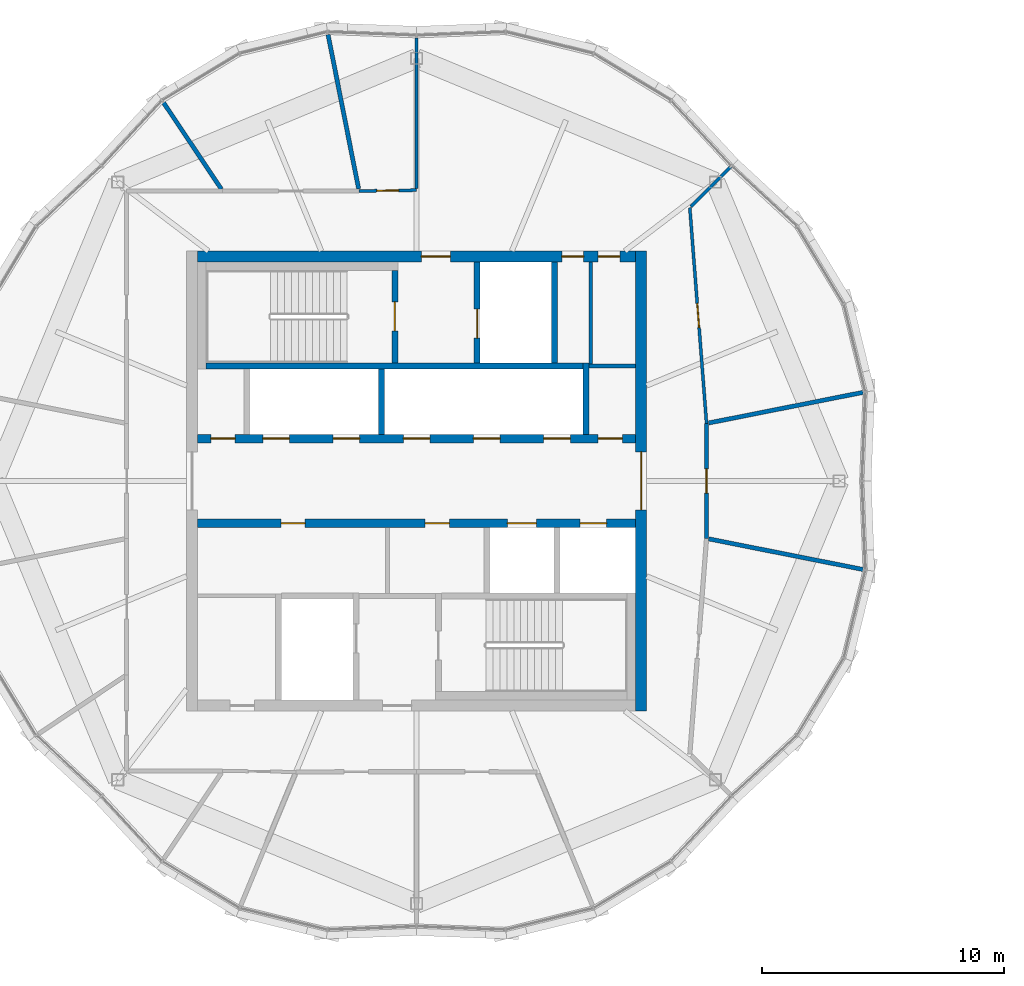
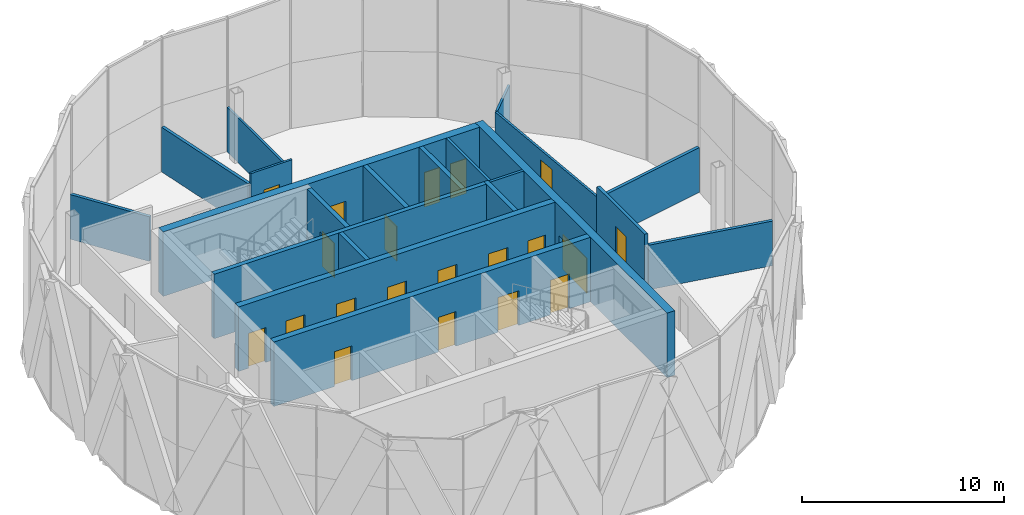
# One storey, part 16 of 22: 21 walls, 20 doors, 20 openings.
"""IFC4 building model written with IfcOpenShell, lengths in metres."""

from ifc_helpers import new_model, si_unit, direction, frame, frame_2d, origin, place, context, subcontext, project, spatial, rectangle, extrude, material, layer, layer_set, type_object, element, fill, save


model = new_model("IFC4")

# Units and contexts
model_context = context("Model", 3, precision=1e-05, world=origin(), true_north=direction((0.0, 1.0)))
body_context = subcontext(model_context, "Body", "Model", "MODEL_VIEW")
ifc_project = project(units=[si_unit("LENGTHUNIT", "METRE"), si_unit("AREAUNIT", "SQUARE_METRE"), si_unit("VOLUMEUNIT", "CUBIC_METRE"), si_unit("PLANEANGLEUNIT", "RADIAN"), si_unit("MASSUNIT", "GRAM", prefix="KILO")], contexts=[model_context])

# Site, building, storey
site_placement = place(None, origin())
site = spatial("IfcSite", under=ifc_project, at=site_placement, CompositionType="ELEMENT")
building_placement = place(site_placement, origin())
building = spatial("IfcBuilding", under=site, at=building_placement, Name="Ogive Gate Towers", CompositionType="ELEMENT")
storey_placement = place(building_placement, frame((0.0, 0.0, 285.60009765625)))
storey = spatial("IfcBuildingStorey", under=building, at=storey_placement, Name="L67", CompositionType="ELEMENT", Elevation=285.60009765625)

# Walls
ifc_material_1 = material(Name="Gypsum board acoustic partition")
ifc_layer_1 = layer(ifc_material_1, 0.175048828125)
ifc_layer_set_1 = layer_set([ifc_layer_1], Name="Acoustic partition 175")
wall_type_1 = type_object("IfcWallType", Name="Acoustic partition 175", PredefinedType="PARTITIONING", material=ifc_layer_set_1)
for number, where, z_axis, x_axis, name in (
    (1, (-17.559814453125, 3.658203125, 0.0), (0.0, 0.0, 1.0), (-0.980884237162, -0.1945921717, 0.0), "Partition T1-L67-001"),
    (2, (-39.658203125, 18.440185546875, 0.0), (0.0, 0.0, 1.0), (0.1945921717, -0.980884237162, 0.0), "Partition T1-L67-004"),
):
    element("IfcWall", number, at=place(storey_placement, frame(where, z_axis=z_axis, x_axis=x_axis)), inside=storey, type_object=wall_type_1, Name=name, PredefinedType="PARTITIONING", context=body_context, shape_type="SweptSolid", body=[
        extrude(rectangle(XDim=6.50146484375, YDim=0.175048828125, at=frame_2d((3.250732421875, 0.0))), origin(), (0.0, 0.0, 1.0), 2.699951171875),
    ])
wall_1_placement = place(storey_placement, frame((-46.502197265625, 15.700439453125, 0.0), z_axis=(0.0, 0.0, 1.0), x_axis=(0.555982573444, -0.831193947299, 0.0)))
element("IfcWall", 3, at=wall_1_placement, inside=storey, type_object=wall_type_1, Name="Partition T1-L67-005", PredefinedType="PARTITIONING", context=body_context, shape_type="SweptSolid", body=[
    extrude(rectangle(XDim=4.39111328125, YDim=0.175048828125, at=frame_2d((2.195556640625, 0.0))), origin(), (0.0, 0.0, 1.0), 2.699951171875),
])
wall_2_placement = place(storey_placement, frame((-17.559814453125, -3.658203125, 0.0), z_axis=(0.0, 0.0, 1.0), x_axis=(-0.980884237162, 0.1945921717, 0.0)))
element("IfcWall", 4, at=wall_2_placement, inside=storey, type_object=wall_type_1, Name="Partition T1-L67-014", PredefinedType="PARTITIONING", context=body_context, shape_type="SweptSolid", body=[
    extrude(rectangle(XDim=6.50146484375, YDim=0.175048828125, at=frame_2d((3.250732421875, 0.0))), origin(), (0.0, 0.0, 1.0), 2.699951171875),
])

# Wall, opening, door
wall_3_placement = place(storey_placement, frame((-24.02294921875, -2.376220703125, 0.0), z_axis=(0.0, 0.0, 1.0), x_axis=(0.0, 1.0, 0.0)))
wall_3 = element("IfcWall", 5, at=wall_3_placement, inside=storey, type_object=wall_type_1, Name="Partition T1-L67-019", PredefinedType="PARTITIONING", context=body_context, shape_type="SweptSolid", body=[
    extrude(rectangle(XDim=4.75244140625, YDim=0.175048828125, at=frame_2d((2.376220703125, 0.0))), origin(), (0.0, 0.0, 1.0), 3.349853515625),
])
opening_1_placement = place(wall_3_placement, frame((1.8759765625, 0.0, 0.0)))
opening_1 = element("IfcOpeningElement", 6, at=opening_1_placement, cuts=wall_3, Name="Opening T1-L67-D05", PredefinedType="OPENING", context=body_context, shape_type="SweptSolid", body=[
    extrude(rectangle(XDim=1.0, YDim=2.10009765625, at=frame_2d((0.5, 1.050048828125))), frame((0.0, 0.09765625, 0.0), z_axis=(0.0, -1.0, 0.0), x_axis=(1.0, 0.0, 0.0)), (0.0, 0.0, 1.0), 0.195068359375),
])
ifc_material_2 = material(Name="Timber door", Category="wood")
door_type_1 = type_object("IfcDoorType", Name="Door 1000", OperationType="NOTDEFINED", PredefinedType="DOOR", material=ifc_material_2)
door_1_placement = place(opening_1_placement, origin())
door_1 = element("IfcDoor", 7, at=door_1_placement, inside=storey, type_object=door_type_1, Name="Door T1-L67-D05", OperationType="SINGLE_SWING_LEFT", OverallHeight=2.10009765625, OverallWidth=1.0, PredefinedType="DOOR", context=body_context, shape_type="SweptSolid", body=[
    extrude(rectangle(XDim=1.0, YDim=2.10009765625, at=frame_2d((0.5, 1.050048828125))), frame((0.0, 0.02490234375, 0.0), z_axis=(0.0, -1.0, 0.0), x_axis=(1.0, 0.0, 0.0)), (0.0, 0.0, 1.0), 0.050048828125),
])
fill(opening_1, door_1)

# Wall, openings, doors
ifc_material_3 = material(Name="Concrete C60/75", Category="concrete")
ifc_layer_2 = layer(ifc_material_3, 0.449951171875)
ifc_layer_set_2 = layer_set([ifc_layer_2], Name="Core wall 450 mm")
wall_type_2 = type_object("IfcWallType", Name="Core wall 450 mm", PredefinedType="SHEAR", material=ifc_layer_set_2)
wall_4_placement = place(storey_placement, frame((-45.050048828125, 9.27490234375, 0.0), z_axis=(0.0, 0.0, 1.0), x_axis=(1.0, 0.0, 0.0)))
wall_4 = element("IfcWall", 8, at=wall_4_placement, inside=storey, type_object=wall_type_2, Name="T1 L67 Core wall 450 mm", PredefinedType="SHEAR", context=body_context, shape_type="SweptSolid", body=[
    extrude(rectangle(XDim=18.10009765625, YDim=0.449951171875, at=frame_2d((9.050048828125, 0.0))), origin(), (0.0, 0.0, 1.0), 3.89990234375),
])
opening_2_placement = place(wall_4_placement, frame((9.25, 0.0, 0.0)))
opening_2 = element("IfcOpeningElement", 9, at=opening_2_placement, cuts=wall_4, Name="Opening KD-T1-L67-18", PredefinedType="OPENING", context=body_context, shape_type="SweptSolid", body=[
    extrude(rectangle(XDim=1.199951171875, YDim=2.10009765625, at=frame_2d((0.60009765625, 1.050048828125))), frame((0.0, 0.23486328125, 0.0), z_axis=(0.0, -1.0, 0.0), x_axis=(1.0, 0.0, 0.0)), (0.0, 0.0, 1.0), 0.469970703125),
])
opening_3_placement = place(wall_4_placement, frame((15.050048828125, 0.0, 0.0)))
opening_3 = element("IfcOpeningElement", 10, at=opening_3_placement, cuts=wall_4, Name="Opening KD-T1-L67-20", PredefinedType="OPENING", context=body_context, shape_type="SweptSolid", body=[
    extrude(rectangle(XDim=0.89990234375, YDim=2.10009765625, at=frame_2d((0.449951171875, 1.050048828125))), frame((0.0, 0.23486328125, 0.0), z_axis=(0.0, -1.0, 0.0), x_axis=(1.0, 0.0, 0.0)), (0.0, 0.0, 1.0), 0.469970703125),
])
opening_4_placement = place(wall_4_placement, frame((16.550048828125, 0.0, 0.0)))
opening_4 = element("IfcOpeningElement", 11, at=opening_4_placement, cuts=wall_4, Name="Opening KD-T1-L67-21", PredefinedType="OPENING", context=body_context, shape_type="SweptSolid", body=[
    extrude(rectangle(XDim=0.89990234375, YDim=2.10009765625, at=frame_2d((0.449951171875, 1.050048828125))), frame((0.0, 0.23486328125, 0.0), z_axis=(0.0, -1.0, 0.0), x_axis=(1.0, 0.0, 0.0)), (0.0, 0.0, 1.0), 0.469970703125),
])
door_type_2 = type_object("IfcDoorType", Name="Core WC door 900 x 2100", OperationType="NOTDEFINED", PredefinedType="DOOR", material=ifc_material_2)
door_2_placement = place(opening_3_placement, origin())
door_2 = element("IfcDoor", 12, at=door_2_placement, inside=storey, type_object=door_type_2, Name="T1 L67 Core door", OperationType="SINGLE_SWING_LEFT", OverallHeight=2.10009765625, OverallWidth=0.89990234375, PredefinedType="DOOR", context=body_context, shape_type="SweptSolid", body=[
    extrude(rectangle(XDim=0.89990234375, YDim=2.10009765625, at=frame_2d((0.449951171875, 1.050048828125))), frame((0.0, 0.02490234375, 0.0), z_axis=(0.0, -1.0, 0.0), x_axis=(1.0, 0.0, 0.0)), (0.0, 0.0, 1.0), 0.050048828125),
])
fill(opening_3, door_2)
door_3_placement = place(opening_4_placement, origin())
door_3 = element("IfcDoor", 13, at=door_3_placement, inside=storey, type_object=door_type_2, Name="T1 L67 Core door", OperationType="SINGLE_SWING_RIGHT", OverallHeight=2.10009765625, OverallWidth=0.89990234375, PredefinedType="DOOR", context=body_context, shape_type="SweptSolid", body=[
    extrude(rectangle(XDim=0.89990234375, YDim=2.10009765625, at=frame_2d((0.449951171875, 1.050048828125))), frame((0.0, 0.02490234375, 0.0), z_axis=(0.0, -1.0, 0.0), x_axis=(1.0, 0.0, 0.0)), (0.0, 0.0, 1.0), 0.050048828125),
])
fill(opening_4, door_3)
ifc_material_4 = material(Name="Steel fire door", Category="steel")
door_type_3 = type_object("IfcDoorType", Name="Core door FD60S 1200 x 2100", OperationType="NOTDEFINED", PredefinedType="DOOR", material=ifc_material_4)
door_4_placement = place(opening_2_placement, origin())
door_4 = element("IfcDoor", 14, at=door_4_placement, inside=storey, type_object=door_type_3, Name="T1 L67 Fire-fighting lobby door", OperationType="SINGLE_SWING_LEFT", OverallHeight=2.10009765625, OverallWidth=1.199951171875, PredefinedType="DOOR", context=body_context, shape_type="SweptSolid", body=[
    extrude(rectangle(XDim=1.199951171875, YDim=2.10009765625, at=frame_2d((0.60009765625, 1.050048828125))), frame((0.0, 0.02490234375, 0.0), z_axis=(0.0, -1.0, 0.0), x_axis=(1.0, 0.0, 0.0)), (0.0, 0.0, 1.0), 0.050048828125),
])
fill(opening_2, door_4)

# Wall, opening, door
wall_5_placement = place(storey_placement, frame((-26.72509765625, -9.5, 0.0), z_axis=(0.0, 0.0, 1.0), x_axis=(0.0, 1.0, 0.0)))
wall_5 = element("IfcWall", 15, at=wall_5_placement, inside=storey, type_object=wall_type_2, Name="T1 L67 Core wall 450 mm", PredefinedType="SHEAR", context=body_context, shape_type="SweptSolid", body=[
    extrude(rectangle(XDim=19.0, YDim=0.449951171875, at=frame_2d((9.5, 0.0))), origin(), (0.0, 0.0, 1.0), 3.89990234375),
])
opening_5_placement = place(wall_5_placement, frame((8.300048828125, 0.0, 0.0)))
opening_5 = element("IfcOpeningElement", 16, at=opening_5_placement, cuts=wall_5, Name="Opening KD-T1-L67-02", PredefinedType="OPENING", context=body_context, shape_type="SweptSolid", body=[
    extrude(rectangle(XDim=2.39990234375, YDim=2.10009765625, at=frame_2d((1.199951171875, 1.050048828125))), frame((0.0, 0.23486328125, 0.0), z_axis=(0.0, -1.0, 0.0), x_axis=(1.0, 0.0, 0.0)), (0.0, 0.0, 1.0), 0.469970703125),
])
door_type_4 = type_object("IfcDoorType", Name="Core double door FD60S 2400 x 2100", OperationType="DOUBLE_DOOR_SINGLE_SWING", PredefinedType="DOOR", material=ifc_material_4)
door_5_placement = place(opening_5_placement, origin())
door_5 = element("IfcDoor", 17, at=door_5_placement, inside=storey, type_object=door_type_4, Name="T1 L67 Core door double", OperationType="DOUBLE_DOOR_SINGLE_SWING", OverallHeight=2.10009765625, OverallWidth=2.39990234375, PredefinedType="DOOR", context=body_context, shape_type="SweptSolid", body=[
    extrude(rectangle(XDim=2.39990234375, YDim=2.10009765625, at=frame_2d((1.199951171875, 1.050048828125))), frame((0.0, 0.02490234375, 0.0), z_axis=(0.0, -1.0, 0.0), x_axis=(1.0, 0.0, 0.0)), (0.0, 0.0, 1.0), 0.050048828125),
])
fill(opening_5, door_5)

# Walls
ifc_material_5 = material(Name="Gypsum board partition")
ifc_layer_3 = layer(ifc_material_5, 0.125)
ifc_layer_set_3 = layer_set([ifc_layer_3], Name="Partition 125")
wall_type_3 = type_object("IfcWallType", Name="Partition 125", PredefinedType="PARTITIONING", material=ifc_layer_set_3)
wall_6_placement = place(storey_placement, frame((-23.005126953125, 12.994873046875, 0.0), z_axis=(0.0, 0.0, 1.0), x_axis=(-0.707106781187, -0.707106781187, 0.0)))
element("IfcWall", 18, at=wall_6_placement, inside=storey, type_object=wall_type_3, Name="Partition T1-L67-002", PredefinedType="PARTITIONING", context=body_context, shape_type="SweptSolid", body=[
    extrude(rectangle(XDim=2.35498046875, YDim=0.125, at=frame_2d((1.177490234375, 0.0))), origin(), (0.0, 0.0, 1.0), 2.699951171875),
])
wall_7_placement = place(storey_placement, frame((-36.0, 18.299072265625, 0.0), z_axis=(0.0, 0.0, 1.0), x_axis=(0.0, -1.0, 0.0)))
element("IfcWall", 19, at=wall_7_placement, inside=storey, type_object=wall_type_3, Name="Partition T1-L67-003", PredefinedType="PARTITIONING", context=body_context, shape_type="SweptSolid", body=[
    extrude(rectangle(XDim=6.2265625, YDim=0.125, at=frame_2d((3.11328125, 0.0))), origin(), (0.0, 0.0, 1.0), 2.699951171875),
])

# Wall, opening, door
wall_8_placement = place(storey_placement, frame((-24.02294921875, 2.376220703125, 0.0), z_axis=(0.0, 0.0, 1.0), x_axis=(-0.077400559518, 0.997000076924, 0.0)))
wall_8 = element("IfcWall", 20, at=wall_8_placement, inside=storey, type_object=wall_type_3, Name="Partition T1-L67-020", PredefinedType="PARTITIONING", context=body_context, shape_type="SweptSolid", body=[
    extrude(rectangle(XDim=8.93603515625, YDim=0.125, at=frame_2d((4.468017578125, 0.0))), origin(), (0.0, 0.0, 1.0), 2.699951171875),
])
opening_6_placement = place(wall_8_placement, frame((3.968017578125, 0.0, 0.0)))
opening_6 = element("IfcOpeningElement", 21, at=opening_6_placement, cuts=wall_8, Name="Opening T1-L67-D06", PredefinedType="OPENING", context=body_context, shape_type="SweptSolid", body=[
    extrude(rectangle(XDim=1.0, YDim=2.10009765625, at=frame_2d((0.5, 1.050048828125))), frame((0.0, 0.072509765625, 0.0), z_axis=(0.0, -1.0, 0.0), x_axis=(1.0, 0.0, 0.0)), (0.0, 0.0, 1.0), 0.14501953125),
])
door_6_placement = place(opening_6_placement, origin())
door_6 = element("IfcDoor", 22, at=door_6_placement, inside=storey, type_object=door_type_1, Name="Door T1-L67-D06", OperationType="SINGLE_SWING_LEFT", OverallHeight=2.10009765625, OverallWidth=1.0, PredefinedType="DOOR", context=body_context, shape_type="SweptSolid", body=[
    extrude(rectangle(XDim=1.0, YDim=2.10009765625, at=frame_2d((0.5, 1.050048828125))), frame((0.0, 0.02490234375, 0.0), z_axis=(0.0, -1.0, 0.0), x_axis=(1.0, 0.0, 0.0)), (0.0, 0.0, 1.0), 0.050048828125),
])
fill(opening_6, door_6)

wall_9_placement = place(storey_placement, frame((-36.0, 12.010009765625, 0.0), z_axis=(0.0, 0.0, 1.0), x_axis=(-0.999903820739, -0.013869003986, 0.0)))
wall_9 = element("IfcWall", 23, at=wall_9_placement, inside=storey, type_object=wall_type_3, Name="Partition T1-L67-021", PredefinedType="PARTITIONING", context=body_context, shape_type="SweptSolid", body=[
    extrude(rectangle(XDim=2.37646484375, YDim=0.125, at=frame_2d((1.188232421875, 0.0))), origin(), (0.0, 0.0, 1.0), 3.349853515625),
])
opening_7_placement = place(wall_9_placement, frame((0.738037109375, 0.0, 0.0)))
opening_7 = element("IfcOpeningElement", 24, at=opening_7_placement, cuts=wall_9, Name="Opening T1-L67-D07", PredefinedType="OPENING", context=body_context, shape_type="SweptSolid", body=[
    extrude(rectangle(XDim=0.89990234375, YDim=2.10009765625, at=frame_2d((0.449951171875, 1.050048828125))), frame((0.0, 0.072509765625, 0.0), z_axis=(0.0, -1.0, 0.0), x_axis=(1.0, 0.0, 0.0)), (0.0, 0.0, 1.0), 0.14501953125),
])
door_type_5 = type_object("IfcDoorType", Name="Door 900", OperationType="NOTDEFINED", PredefinedType="DOOR", material=ifc_material_2)
door_7_placement = place(opening_7_placement, origin())
door_7 = element("IfcDoor", 25, at=door_7_placement, inside=storey, type_object=door_type_5, Name="Door T1-L67-D07", OperationType="SINGLE_SWING_RIGHT", OverallHeight=2.10009765625, OverallWidth=0.89990234375, PredefinedType="DOOR", context=body_context, shape_type="SweptSolid", body=[
    extrude(rectangle(XDim=0.89990234375, YDim=2.10009765625, at=frame_2d((0.449951171875, 1.050048828125))), frame((0.0, 0.02490234375, 0.0), z_axis=(0.0, -1.0, 0.0), x_axis=(1.0, 0.0, 0.0)), (0.0, 0.0, 1.0), 0.050048828125),
])
fill(opening_7, door_7)

# Walls
ifc_layer_4 = layer(ifc_material_5, 0.14990234375)
ifc_layer_set_4 = layer_set([ifc_layer_4], Name="Room partition 150 mm")
wall_type_4 = type_object("IfcWallType", Name="Room partition 150 mm", PredefinedType="PARTITIONING", material=ifc_layer_set_4)
wall_10_placement = place(storey_placement, frame((-28.875, 4.75, 0.0), z_axis=(0.0, 0.0, 1.0), x_axis=(1.0, 0.0, 0.0)))
element("IfcWall", 26, at=wall_10_placement, inside=storey, type_object=wall_type_4, Name="T1 L67 Room partition 150 mm", PredefinedType="PARTITIONING", context=body_context, shape_type="SweptSolid", body=[
    extrude(rectangle(XDim=1.925048828125, YDim=0.14990234375, at=frame_2d((0.96240234375, 0.0))), origin(), (0.0, 0.0, 1.0), 3.89990234375),
])
wall_11_placement = place(storey_placement, frame((-28.800048828125, 4.824951171875, 0.0), z_axis=(0.0, 0.0, 1.0), x_axis=(0.0, 1.0, 0.0)))
element("IfcWall", 27, at=wall_11_placement, inside=storey, type_object=wall_type_4, Name="T1 L67 Room partition 150 mm", PredefinedType="PARTITIONING", context=body_context, shape_type="SweptSolid", body=[
    extrude(rectangle(XDim=4.22509765625, YDim=0.14990234375, at=frame_2d((2.112548828125, 0.0))), origin(), (0.0, 0.0, 1.0), 3.89990234375),
])
ifc_layer_5 = layer(ifc_material_3, 0.25)
ifc_layer_set_5 = layer_set([ifc_layer_5], Name="Shaft wall 250 mm")
wall_type_5 = type_object("IfcWallType", Name="Shaft wall 250 mm", PredefinedType="SHEAR", material=ifc_layer_set_5)
wall_12_placement = place(storey_placement, frame((-44.699951171875, 4.75, 0.0), z_axis=(0.0, 0.0, 1.0), x_axis=(1.0, 0.0, 0.0)))
element("IfcWall", 28, at=wall_12_placement, inside=storey, type_object=wall_type_5, Name="T1 L67 Shaft wall 250 mm", PredefinedType="SHEAR", context=body_context, shape_type="SweptSolid", body=[
    extrude(rectangle(XDim=15.574951171875, YDim=0.25, at=frame_2d((7.78759765625, 0.0))), origin(), (0.0, 0.0, 1.0), 3.89990234375),
])
wall_13_placement = place(storey_placement, frame((-37.449951171875, 1.925048828125, 0.0), z_axis=(0.0, 0.0, 1.0), x_axis=(0.0, 1.0, 0.0)))
element("IfcWall", 29, at=wall_13_placement, inside=storey, type_object=wall_type_5, Name="T1 L67 Shaft wall 250 mm", PredefinedType="SHEAR", context=body_context, shape_type="SweptSolid", body=[
    extrude(rectangle(XDim=2.699951171875, YDim=0.25, at=frame_2d((1.35009765625, 0.0))), origin(), (0.0, 0.0, 1.0), 3.89990234375),
])

# Wall, opening, door
wall_14_placement = place(storey_placement, frame((-36.89990234375, 4.875, 0.0), z_axis=(0.0, 0.0, 1.0), x_axis=(0.0, 1.0, 0.0)))
wall_14 = element("IfcWall", 30, at=wall_14_placement, inside=storey, type_object=wall_type_5, Name="T1 L67 Shaft wall 250 mm", PredefinedType="SHEAR", context=body_context, shape_type="SweptSolid", body=[
    extrude(rectangle(XDim=3.824951171875, YDim=0.25, at=frame_2d((1.91259765625, 0.0))), origin(), (0.0, 0.0, 1.0), 3.89990234375),
])
opening_8_placement = place(wall_14_placement, frame((1.324951171875, 0.0, 0.0)))
opening_8 = element("IfcOpeningElement", 31, at=opening_8_placement, cuts=wall_14, Name="Opening KD-T1-L67-16", PredefinedType="OPENING", context=body_context, shape_type="SweptSolid", body=[
    extrude(rectangle(XDim=1.199951171875, YDim=2.10009765625, at=frame_2d((0.60009765625, 1.050048828125))), frame((0.0, 0.135009765625, 0.0), z_axis=(0.0, -1.0, 0.0), x_axis=(1.0, 0.0, 0.0)), (0.0, 0.0, 1.0), 0.27001953125),
])
door_8_placement = place(opening_8_placement, origin())
door_8 = element("IfcDoor", 32, at=door_8_placement, inside=storey, type_object=door_type_3, Name="T1 L67 Stair door", OperationType="SINGLE_SWING_LEFT", OverallHeight=2.10009765625, OverallWidth=1.199951171875, PredefinedType="DOOR", context=body_context, shape_type="SweptSolid", body=[
    extrude(rectangle(XDim=1.199951171875, YDim=2.10009765625, at=frame_2d((0.60009765625, 1.050048828125))), frame((0.0, 0.02490234375, 0.0), z_axis=(0.0, -1.0, 0.0), x_axis=(1.0, 0.0, 0.0)), (0.0, 0.0, 1.0), 0.050048828125),
])
fill(opening_8, door_8)

wall_15_placement = place(storey_placement, frame((-33.5, 4.875, 0.0), z_axis=(0.0, 0.0, 1.0), x_axis=(0.0, 1.0, 0.0)))
wall_15 = element("IfcWall", 33, at=wall_15_placement, inside=storey, type_object=wall_type_5, Name="T1 L67 Shaft wall 250 mm", PredefinedType="SHEAR", context=body_context, shape_type="SweptSolid", body=[
    extrude(rectangle(XDim=4.175048828125, YDim=0.25, at=frame_2d((2.08740234375, 0.0))), origin(), (0.0, 0.0, 1.0), 3.89990234375),
])
opening_9_placement = place(wall_15_placement, frame((1.02490234375, 0.0, 0.0)))
opening_9 = element("IfcOpeningElement", 34, at=opening_9_placement, cuts=wall_15, Name="Opening LD-T1-L67-12", PredefinedType="OPENING", context=body_context, shape_type="SweptSolid", body=[
    extrude(rectangle(XDim=1.199951171875, YDim=2.10009765625, at=frame_2d((0.60009765625, 1.050048828125))), frame((0.0, 0.135009765625, 0.0), z_axis=(0.0, -1.0, 0.0), x_axis=(1.0, 0.0, 0.0)), (0.0, 0.0, 1.0), 0.27001953125),
])
ifc_material_6 = material(Name="Stainless steel landing door", Category="steel")
door_type_6 = type_object("IfcDoorType", Name="Landing door 1200 x 2100", OperationType="SLIDING_TO_LEFT", PredefinedType="DOOR", material=ifc_material_6)
door_9_placement = place(opening_9_placement, origin())
door_9 = element("IfcDoor", 35, at=door_9_placement, inside=storey, type_object=door_type_6, Name="T1 L67 Lift landing door FF1", OperationType="SLIDING_TO_LEFT", OverallHeight=2.10009765625, OverallWidth=1.199951171875, PredefinedType="DOOR", context=body_context, shape_type="SweptSolid", body=[
    extrude(rectangle(XDim=1.199951171875, YDim=2.10009765625, at=frame_2d((0.60009765625, 1.050048828125))), frame((0.0, 0.02490234375, 0.0), z_axis=(0.0, -1.0, 0.0), x_axis=(1.0, 0.0, 0.0)), (0.0, 0.0, 1.0), 0.050048828125),
])
fill(opening_9, door_9)

# Walls
wall_16_placement = place(storey_placement, frame((-30.300048828125, 4.875, 0.0), z_axis=(0.0, 0.0, 1.0), x_axis=(0.0, 1.0, 0.0)))
element("IfcWall", 36, at=wall_16_placement, inside=storey, type_object=wall_type_5, Name="T1 L67 Shaft wall 250 mm", PredefinedType="SHEAR", context=body_context, shape_type="SweptSolid", body=[
    extrude(rectangle(XDim=4.175048828125, YDim=0.25, at=frame_2d((2.08740234375, 0.0))), origin(), (0.0, 0.0, 1.0), 3.89990234375),
])
wall_17_placement = place(storey_placement, frame((-29.0, 1.925048828125, 0.0), z_axis=(0.0, 0.0, 1.0), x_axis=(0.0, 1.0, 0.0)))
element("IfcWall", 37, at=wall_17_placement, inside=storey, type_object=wall_type_5, Name="T1 L67 Shaft wall 250 mm", PredefinedType="SHEAR", context=body_context, shape_type="SweptSolid", body=[
    extrude(rectangle(XDim=2.949951171875, YDim=0.25, at=frame_2d((1.47509765625, 0.0))), origin(), (0.0, 0.0, 1.0), 3.89990234375),
])

# Wall, openings, doors
ifc_layer_6 = layer(ifc_material_3, 0.35009765625)
ifc_layer_set_6 = layer_set([ifc_layer_6], Name="Spine wall 350 mm")
wall_type_6 = type_object("IfcWallType", Name="Spine wall 350 mm", PredefinedType="SHEAR", material=ifc_layer_set_6)
wall_18_placement = place(storey_placement, frame((-45.050048828125, -1.75, 0.0), z_axis=(0.0, 0.0, 1.0), x_axis=(1.0, 0.0, 0.0)))
wall_18 = element("IfcWall", 38, at=wall_18_placement, inside=storey, type_object=wall_type_6, Name="T1 L67 Spine wall 350 mm", PredefinedType="SHEAR", context=body_context, shape_type="SweptSolid", body=[
    extrude(rectangle(XDim=18.10009765625, YDim=0.35009765625, at=frame_2d((9.050048828125, 0.0))), origin(), (0.0, 0.0, 1.0), 3.89990234375),
])
opening_10_placement = place(wall_18_placement, frame((12.800048828125, 0.0, 0.0)))
opening_10 = element("IfcOpeningElement", 39, at=opening_10_placement, cuts=wall_18, Name="Opening LD-T1-L67-10", PredefinedType="OPENING", context=body_context, shape_type="SweptSolid", body=[
    extrude(rectangle(XDim=1.199951171875, YDim=2.10009765625, at=frame_2d((0.60009765625, 1.050048828125))), frame((0.0, 0.18505859375, 0.0), z_axis=(0.0, -1.0, 0.0), x_axis=(1.0, 0.0, 0.0)), (0.0, 0.0, 1.0), 0.3701171875),
])
opening_11_placement = place(wall_18_placement, frame((15.800048828125, 0.0, 0.0)))
opening_11 = element("IfcOpeningElement", 40, at=opening_11_placement, cuts=wall_18, Name="Opening LD-T1-L67-11", PredefinedType="OPENING", context=body_context, shape_type="SweptSolid", body=[
    extrude(rectangle(XDim=1.10009765625, YDim=2.10009765625, at=frame_2d((0.550048828125, 1.050048828125))), frame((0.0, 0.18505859375, 0.0), z_axis=(0.0, -1.0, 0.0), x_axis=(1.0, 0.0, 0.0)), (0.0, 0.0, 1.0), 0.3701171875),
])
opening_12_placement = place(wall_18_placement, frame((3.449951171875, 0.0, 0.0)))
opening_12 = element("IfcOpeningElement", 41, at=opening_12_placement, cuts=wall_18, Name="Opening KD-T1-L67-14", PredefinedType="OPENING", context=body_context, shape_type="SweptSolid", body=[
    extrude(rectangle(XDim=1.0, YDim=2.10009765625, at=frame_2d((0.5, 1.050048828125))), frame((0.0, 0.18505859375, 0.0), z_axis=(0.0, -1.0, 0.0), x_axis=(1.0, 0.0, 0.0)), (0.0, 0.0, 1.0), 0.3701171875),
])
opening_13_placement = place(wall_18_placement, frame((9.39990234375, 0.0, 0.0)))
opening_13 = element("IfcOpeningElement", 42, at=opening_13_placement, cuts=wall_18, Name="Opening KD-T1-L67-15", PredefinedType="OPENING", context=body_context, shape_type="SweptSolid", body=[
    extrude(rectangle(XDim=1.0, YDim=2.10009765625, at=frame_2d((0.5, 1.050048828125))), frame((0.0, 0.18505859375, 0.0), z_axis=(0.0, -1.0, 0.0), x_axis=(1.0, 0.0, 0.0)), (0.0, 0.0, 1.0), 0.3701171875),
])
door_type_7 = type_object("IfcDoorType", Name="Core door FD60S 1000 x 2100", OperationType="NOTDEFINED", PredefinedType="DOOR", material=ifc_material_4)
door_10_placement = place(opening_12_placement, origin())
door_10 = element("IfcDoor", 43, at=door_10_placement, inside=storey, type_object=door_type_7, Name="T1 L67 Core door", OperationType="SINGLE_SWING_LEFT", OverallHeight=2.10009765625, OverallWidth=1.0, PredefinedType="DOOR", context=body_context, shape_type="SweptSolid", body=[
    extrude(rectangle(XDim=1.0, YDim=2.10009765625, at=frame_2d((0.5, 1.050048828125))), frame((0.0, 0.02490234375, 0.0), z_axis=(0.0, -1.0, 0.0), x_axis=(1.0, 0.0, 0.0)), (0.0, 0.0, 1.0), 0.050048828125),
])
fill(opening_12, door_10)
door_11_placement = place(opening_13_placement, origin())
door_11 = element("IfcDoor", 44, at=door_11_placement, inside=storey, type_object=door_type_7, Name="T1 L67 Core door", OperationType="SINGLE_SWING_RIGHT", OverallHeight=2.10009765625, OverallWidth=1.0, PredefinedType="DOOR", context=body_context, shape_type="SweptSolid", body=[
    extrude(rectangle(XDim=1.0, YDim=2.10009765625, at=frame_2d((0.5, 1.050048828125))), frame((0.0, 0.02490234375, 0.0), z_axis=(0.0, -1.0, 0.0), x_axis=(1.0, 0.0, 0.0)), (0.0, 0.0, 1.0), 0.050048828125),
])
fill(opening_13, door_11)
door_type_8 = type_object("IfcDoorType", Name="Landing door 1100 x 2100", OperationType="SLIDING_TO_LEFT", PredefinedType="DOOR", material=ifc_material_6)
door_12_placement = place(opening_11_placement, origin())
door_12 = element("IfcDoor", 45, at=door_12_placement, inside=storey, type_object=door_type_8, Name="T1 L67 Lift landing door B6", OperationType="SLIDING_TO_LEFT", OverallHeight=2.10009765625, OverallWidth=1.10009765625, PredefinedType="DOOR", context=body_context, shape_type="SweptSolid", body=[
    extrude(rectangle(XDim=1.10009765625, YDim=2.10009765625, at=frame_2d((0.550048828125, 1.050048828125))), frame((0.0, 0.02490234375, 0.0), z_axis=(0.0, -1.0, 0.0), x_axis=(1.0, 0.0, 0.0)), (0.0, 0.0, 1.0), 0.050048828125),
])
fill(opening_11, door_12)
door_13_placement = place(opening_10_placement, origin())
door_13 = element("IfcDoor", 46, at=door_13_placement, inside=storey, type_object=door_type_6, Name="T1 L67 Lift landing door SVC", OperationType="SLIDING_TO_LEFT", OverallHeight=2.10009765625, OverallWidth=1.199951171875, PredefinedType="DOOR", context=body_context, shape_type="SweptSolid", body=[
    extrude(rectangle(XDim=1.199951171875, YDim=2.10009765625, at=frame_2d((0.60009765625, 1.050048828125))), frame((0.0, 0.02490234375, 0.0), z_axis=(0.0, -1.0, 0.0), x_axis=(1.0, 0.0, 0.0)), (0.0, 0.0, 1.0), 0.050048828125),
])
fill(opening_10, door_13)

wall_19_placement = place(storey_placement, frame((-45.050048828125, 1.75, 0.0), z_axis=(0.0, 0.0, 1.0), x_axis=(1.0, 0.0, 0.0)))
wall_19 = element("IfcWall", 47, at=wall_19_placement, inside=storey, type_object=wall_type_6, Name="T1 L67 Spine wall 350 mm", PredefinedType="SHEAR", context=body_context, shape_type="SweptSolid", body=[
    extrude(rectangle(XDim=18.10009765625, YDim=0.35009765625, at=frame_2d((9.050048828125, 0.0))), origin(), (0.0, 0.0, 1.0), 3.89990234375),
])
opening_14_placement = place(wall_19_placement, frame((0.550048828125, 0.0, 0.0)))
opening_14 = element("IfcOpeningElement", 48, at=opening_14_placement, cuts=wall_19, Name="Opening KD-T1-L67-03", PredefinedType="OPENING", context=body_context, shape_type="SweptSolid", body=[
    extrude(rectangle(XDim=1.0, YDim=2.10009765625, at=frame_2d((0.5, 1.050048828125))), frame((0.0, 0.18505859375, 0.0), z_axis=(0.0, -1.0, 0.0), x_axis=(1.0, 0.0, 0.0)), (0.0, 0.0, 1.0), 0.3701171875),
])
opening_15_placement = place(wall_19_placement, frame((2.699951171875, 0.0, 0.0)))
opening_15 = element("IfcOpeningElement", 49, at=opening_15_placement, cuts=wall_19, Name="Opening LD-T1-L67-04", PredefinedType="OPENING", context=body_context, shape_type="SweptSolid", body=[
    extrude(rectangle(XDim=1.10009765625, YDim=2.10009765625, at=frame_2d((0.550048828125, 1.050048828125))), frame((0.0, 0.18505859375, 0.0), z_axis=(0.0, -1.0, 0.0), x_axis=(1.0, 0.0, 0.0)), (0.0, 0.0, 1.0), 0.3701171875),
])
opening_16_placement = place(wall_19_placement, frame((5.60009765625, 0.0, 0.0)))
opening_16 = element("IfcOpeningElement", 50, at=opening_16_placement, cuts=wall_19, Name="Opening LD-T1-L67-05", PredefinedType="OPENING", context=body_context, shape_type="SweptSolid", body=[
    extrude(rectangle(XDim=1.10009765625, YDim=2.10009765625, at=frame_2d((0.550048828125, 1.050048828125))), frame((0.0, 0.18505859375, 0.0), z_axis=(0.0, -1.0, 0.0), x_axis=(1.0, 0.0, 0.0)), (0.0, 0.0, 1.0), 0.3701171875),
])
opening_17_placement = place(wall_19_placement, frame((8.5, 0.0, 0.0)))
opening_17 = element("IfcOpeningElement", 51, at=opening_17_placement, cuts=wall_19, Name="Opening LD-T1-L67-06", PredefinedType="OPENING", context=body_context, shape_type="SweptSolid", body=[
    extrude(rectangle(XDim=1.10009765625, YDim=2.10009765625, at=frame_2d((0.550048828125, 1.050048828125))), frame((0.0, 0.18505859375, 0.0), z_axis=(0.0, -1.0, 0.0), x_axis=(1.0, 0.0, 0.0)), (0.0, 0.0, 1.0), 0.3701171875),
])
opening_18_placement = place(wall_19_placement, frame((11.39990234375, 0.0, 0.0)))
opening_18 = element("IfcOpeningElement", 52, at=opening_18_placement, cuts=wall_19, Name="Opening LD-T1-L67-07", PredefinedType="OPENING", context=body_context, shape_type="SweptSolid", body=[
    extrude(rectangle(XDim=1.10009765625, YDim=2.10009765625, at=frame_2d((0.550048828125, 1.050048828125))), frame((0.0, 0.18505859375, 0.0), z_axis=(0.0, -1.0, 0.0), x_axis=(1.0, 0.0, 0.0)), (0.0, 0.0, 1.0), 0.3701171875),
])
opening_19_placement = place(wall_19_placement, frame((14.300048828125, 0.0, 0.0)))
opening_19 = element("IfcOpeningElement", 53, at=opening_19_placement, cuts=wall_19, Name="Opening LD-T1-L67-08", PredefinedType="OPENING", context=body_context, shape_type="SweptSolid", body=[
    extrude(rectangle(XDim=1.10009765625, YDim=2.10009765625, at=frame_2d((0.550048828125, 1.050048828125))), frame((0.0, 0.18505859375, 0.0), z_axis=(0.0, -1.0, 0.0), x_axis=(1.0, 0.0, 0.0)), (0.0, 0.0, 1.0), 0.3701171875),
])
opening_20_placement = place(wall_19_placement, frame((16.550048828125, 0.0, 0.0)))
opening_20 = element("IfcOpeningElement", 54, at=opening_20_placement, cuts=wall_19, Name="Opening KD-T1-L67-09", PredefinedType="OPENING", context=body_context, shape_type="SweptSolid", body=[
    extrude(rectangle(XDim=1.0, YDim=2.10009765625, at=frame_2d((0.5, 1.050048828125))), frame((0.0, 0.18505859375, 0.0), z_axis=(0.0, -1.0, 0.0), x_axis=(1.0, 0.0, 0.0)), (0.0, 0.0, 1.0), 0.3701171875),
])
door_14_placement = place(opening_14_placement, origin())
door_14 = element("IfcDoor", 55, at=door_14_placement, inside=storey, type_object=door_type_7, Name="T1 L67 Core door", OperationType="SINGLE_SWING_RIGHT", OverallHeight=2.10009765625, OverallWidth=1.0, PredefinedType="DOOR", context=body_context, shape_type="SweptSolid", body=[
    extrude(rectangle(XDim=1.0, YDim=2.10009765625, at=frame_2d((0.5, 1.050048828125))), frame((0.0, 0.02490234375, 0.0), z_axis=(0.0, -1.0, 0.0), x_axis=(1.0, 0.0, 0.0)), (0.0, 0.0, 1.0), 0.050048828125),
])
fill(opening_14, door_14)
door_15_placement = place(opening_20_placement, origin())
door_15 = element("IfcDoor", 56, at=door_15_placement, inside=storey, type_object=door_type_7, Name="T1 L67 Core door", OperationType="SINGLE_SWING_RIGHT", OverallHeight=2.10009765625, OverallWidth=1.0, PredefinedType="DOOR", context=body_context, shape_type="SweptSolid", body=[
    extrude(rectangle(XDim=1.0, YDim=2.10009765625, at=frame_2d((0.5, 1.050048828125))), frame((0.0, 0.02490234375, 0.0), z_axis=(0.0, -1.0, 0.0), x_axis=(1.0, 0.0, 0.0)), (0.0, 0.0, 1.0), 0.050048828125),
])
fill(opening_20, door_15)
door_16_placement = place(opening_15_placement, origin())
door_16 = element("IfcDoor", 57, at=door_16_placement, inside=storey, type_object=door_type_8, Name="T1 L67 Lift landing door B1", OperationType="SLIDING_TO_LEFT", OverallHeight=2.10009765625, OverallWidth=1.10009765625, PredefinedType="DOOR", context=body_context, shape_type="SweptSolid", body=[
    extrude(rectangle(XDim=1.10009765625, YDim=2.10009765625, at=frame_2d((0.550048828125, 1.050048828125))), frame((0.0, 0.02490234375, 0.0), z_axis=(0.0, -1.0, 0.0), x_axis=(1.0, 0.0, 0.0)), (0.0, 0.0, 1.0), 0.050048828125),
])
fill(opening_15, door_16)
door_17_placement = place(opening_16_placement, origin())
door_17 = element("IfcDoor", 58, at=door_17_placement, inside=storey, type_object=door_type_8, Name="T1 L67 Lift landing door B2", OperationType="SLIDING_TO_LEFT", OverallHeight=2.10009765625, OverallWidth=1.10009765625, PredefinedType="DOOR", context=body_context, shape_type="SweptSolid", body=[
    extrude(rectangle(XDim=1.10009765625, YDim=2.10009765625, at=frame_2d((0.550048828125, 1.050048828125))), frame((0.0, 0.02490234375, 0.0), z_axis=(0.0, -1.0, 0.0), x_axis=(1.0, 0.0, 0.0)), (0.0, 0.0, 1.0), 0.050048828125),
])
fill(opening_16, door_17)
door_18_placement = place(opening_17_placement, origin())
door_18 = element("IfcDoor", 59, at=door_18_placement, inside=storey, type_object=door_type_8, Name="T1 L67 Lift landing door B3", OperationType="SLIDING_TO_LEFT", OverallHeight=2.10009765625, OverallWidth=1.10009765625, PredefinedType="DOOR", context=body_context, shape_type="SweptSolid", body=[
    extrude(rectangle(XDim=1.10009765625, YDim=2.10009765625, at=frame_2d((0.550048828125, 1.050048828125))), frame((0.0, 0.02490234375, 0.0), z_axis=(0.0, -1.0, 0.0), x_axis=(1.0, 0.0, 0.0)), (0.0, 0.0, 1.0), 0.050048828125),
])
fill(opening_17, door_18)
door_19_placement = place(opening_18_placement, origin())
door_19 = element("IfcDoor", 60, at=door_19_placement, inside=storey, type_object=door_type_8, Name="T1 L67 Lift landing door B4", OperationType="SLIDING_TO_LEFT", OverallHeight=2.10009765625, OverallWidth=1.10009765625, PredefinedType="DOOR", context=body_context, shape_type="SweptSolid", body=[
    extrude(rectangle(XDim=1.10009765625, YDim=2.10009765625, at=frame_2d((0.550048828125, 1.050048828125))), frame((0.0, 0.02490234375, 0.0), z_axis=(0.0, -1.0, 0.0), x_axis=(1.0, 0.0, 0.0)), (0.0, 0.0, 1.0), 0.050048828125),
])
fill(opening_18, door_19)
door_20_placement = place(opening_19_placement, origin())
door_20 = element("IfcDoor", 61, at=door_20_placement, inside=storey, type_object=door_type_8, Name="T1 L67 Lift landing door B5", OperationType="SLIDING_TO_LEFT", OverallHeight=2.10009765625, OverallWidth=1.10009765625, PredefinedType="DOOR", context=body_context, shape_type="SweptSolid", body=[
    extrude(rectangle(XDim=1.10009765625, YDim=2.10009765625, at=frame_2d((0.550048828125, 1.050048828125))), frame((0.0, 0.02490234375, 0.0), z_axis=(0.0, -1.0, 0.0), x_axis=(1.0, 0.0, 0.0)), (0.0, 0.0, 1.0), 0.050048828125),
])
fill(opening_19, door_20)

save(model, "model.ifc")
